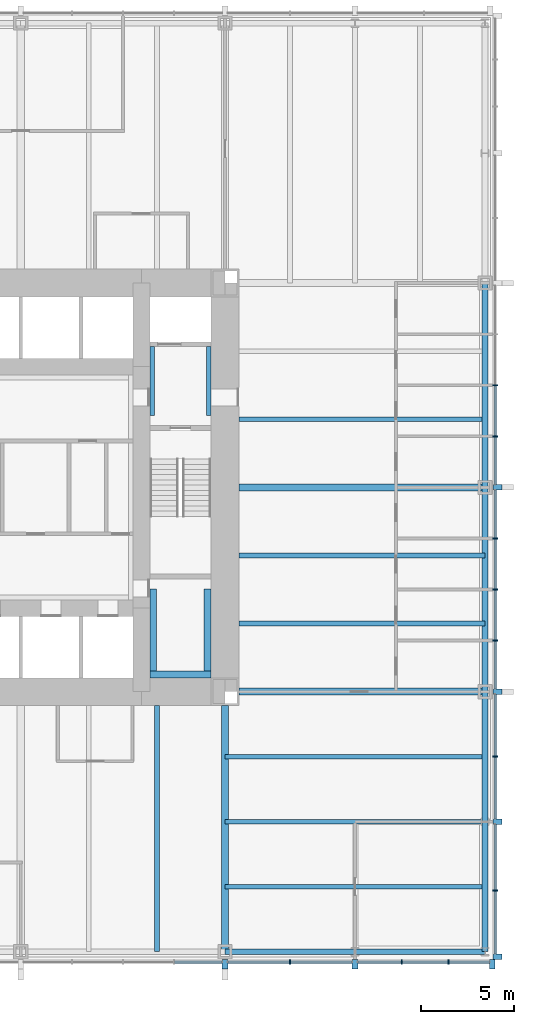
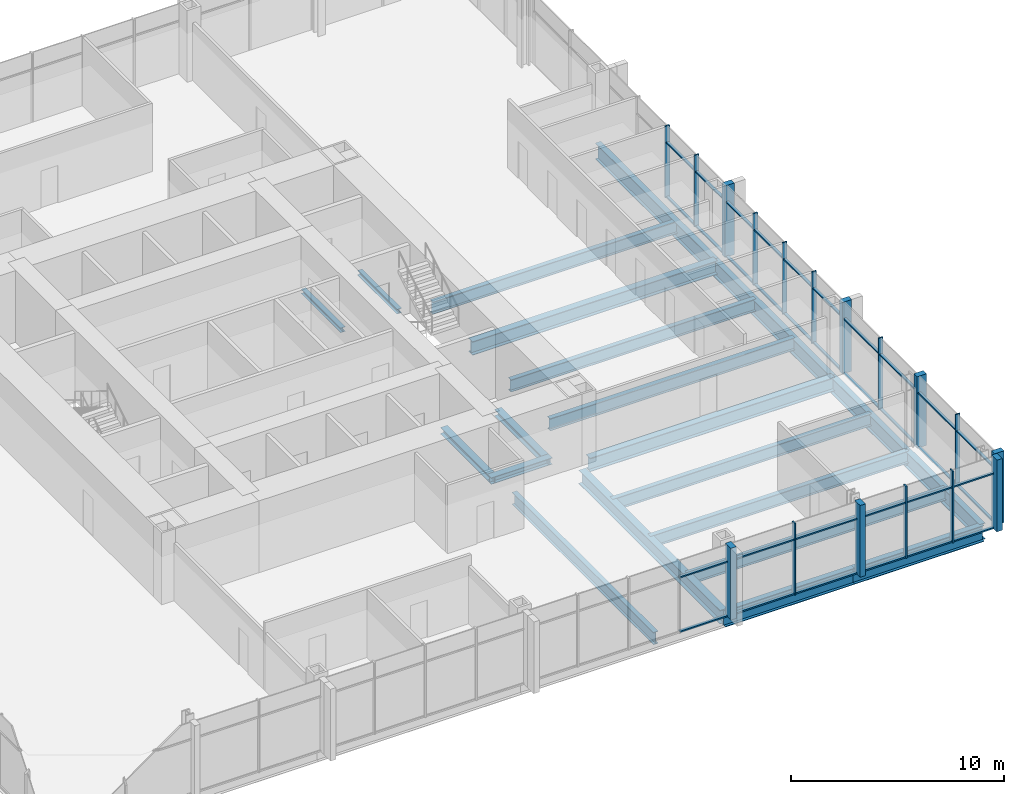
# One storey, part 4 of 13: 49 members, 21 beams, 2 elements without a shape of their own.
"""IFC4 building model written with IfcOpenShell, lengths in metres."""

from ifc_helpers import new_model, si_unit, direction, frame, origin, origin_2d, place, context, subcontext, project, spatial, rectangle, i_section, extrude, material, material_profile, profile_set, type_object, element, aggregate, save


model = new_model("IFC4")

# Units and contexts
model_context = context("Model", 3, precision=1e-05, world=origin(), true_north=direction((0.0, 1.0)))
body_context = subcontext(model_context, "Body", "Model", "MODEL_VIEW")
ifc_project = project(units=[si_unit("LENGTHUNIT", "METRE"), si_unit("AREAUNIT", "SQUARE_METRE"), si_unit("VOLUMEUNIT", "CUBIC_METRE"), si_unit("PLANEANGLEUNIT", "RADIAN"), si_unit("MASSUNIT", "GRAM", prefix="KILO")], contexts=[model_context])

# Site, building, storey
site_placement = place(None, origin())
site = spatial("IfcSite", under=ifc_project, at=site_placement, CompositionType="ELEMENT")
building_placement = place(site_placement, origin())
building = spatial("IfcBuilding", under=site, at=building_placement, Name="Trevanion Tower", CompositionType="ELEMENT")
storey_placement = place(building_placement, frame((0.0, 0.0, 85.699951171875)))
storey = spatial("IfcBuildingStorey", under=building, at=storey_placement, Name="L20", CompositionType="ELEMENT", Elevation=85.699951171875)

# Beams
ifc_material_1 = material(Name="Steel ASTM A992 Grade 50", Category="steel")
ifc_material_profile_1 = material_profile(ifc_material_1, i_section(OverallWidth=0.25390625, OverallDepth=0.700927734375, WebThickness=0.015380859375, FlangeThickness=0.02783203125, at=origin_2d()), Name="W27X129")
ifc_profile_set_1 = profile_set([ifc_material_profile_1], Name="Steel ASTM A992 Grade 50")
beam_type_1 = type_object("IfcBeamType", Name="B3 W27X129", PredefinedType="BEAM", material=ifc_profile_set_1)
for number, where, z_axis, x_axis, name in (
    (1, (11.75, -7.333251953125, -0.54052734375), (1.0, 0.0, 0.0), (0.0, 1.0, 0.0), "B3 L20"),
    (2, (11.75, -3.666748046875, -0.54052734375), (1.0, 0.0, 0.0), (0.0, 1.0, 0.0), "B3 L20"),
    (3, (11.75, 3.666748046875, -0.54052734375), (1.0, 0.0, 0.0), (0.0, 1.0, 0.0), "B3 L20"),
    (4, (7.333251953125, -11.75, -0.54052734375), (0.0, -1.0, 0.0), (1.0, 0.0, 0.0), "B3 L20"),
):
    element("IfcBeam", number, at=place(storey_placement, frame(where, z_axis=z_axis, x_axis=x_axis)), inside=storey, type_object=beam_type_1, Name=name, PredefinedType="BEAM", context=body_context, shape_type="SweptSolid", body=[
        extrude(i_section(OverallWidth=0.25390625, OverallDepth=0.700927734375, WebThickness=0.015380859375, FlangeThickness=0.02783203125, at=origin_2d()), origin(), (0.0, 0.0, 1.0), 13.25),
    ])
ifc_material_2 = material(Name="Steel ASTM A992 Grade 50", Category="steel")
ifc_material_profile_2 = material_profile(ifc_material_2, i_section(OverallWidth=0.256591796875, OverallDepth=0.693359375, WebThickness=0.014404296875, FlangeThickness=0.023681640625, at=origin_2d()), Name="W27X114")
ifc_profile_set_2 = profile_set([ifc_material_profile_2], Name="Steel ASTM A992 Grade 50")
beam_type_2 = type_object("IfcBeamType", Name="B4 W27X114", PredefinedType="BEAM", material=ifc_profile_set_2)
for number, where, z_axis, x_axis, name in (
    (5, (11.0, -14.5, -0.53662109375), (1.0, 0.0, 0.0), (0.0, 1.0, 0.0), "B4 L20"),
    (6, (11.0, -18.0, -0.53662109375), (1.0, 0.0, 0.0), (0.0, 1.0, 0.0), "B4 L20"),
    (7, (11.0, -21.5, -0.53662109375), (1.0, 0.0, 0.0), (0.0, 1.0, 0.0), "B4 L20"),
):
    element("IfcBeam", number, at=place(storey_placement, frame(where, z_axis=z_axis, x_axis=x_axis)), inside=storey, type_object=beam_type_2, Name=name, PredefinedType="BEAM", context=body_context, shape_type="SweptSolid", body=[
        extrude(i_section(OverallWidth=0.256591796875, OverallDepth=0.693359375, WebThickness=0.014404296875, FlangeThickness=0.023681640625, at=origin_2d()), origin(), (0.0, 0.0, 1.0), 14.0),
    ])

# Curtain wall, members
ifc_material_3 = material(Name="Aluminium and glass", Category="aluminium")
curtain_wall_type = type_object("IfcCurtainWallType", Name="CW1 curtain wall", PredefinedType="USERDEFINED", material=ifc_material_3)
curtain_wall_1_placement = place(storey_placement, origin())
curtain_wall_1 = element("IfcCurtainWall", 8, at=curtain_wall_1_placement, inside=storey, type_object=curtain_wall_type, Name="CW1 L20 0", ObjectType="UNITISED CURTAIN WALL", PredefinedType="USERDEFINED")
ifc_material_4 = material(Name="Aluminium extrusion, anodised bronze", Category="aluminium")
ifc_material_profile_3 = material_profile(ifc_material_4, rectangle(XDim=0.074951171875, YDim=0.25, at=origin_2d()), Name="CW1 mullion")
ifc_profile_set_3 = profile_set([ifc_material_profile_3], Name="Aluminium extrusion, anodised bronze")
member_type_1 = type_object("IfcMemberType", Name="CW1 mullion", PredefinedType="MULLION", material=ifc_profile_set_3)
member_1_placement = place(storey_placement, frame((25.550048828125, -21.7099609375, -0.18994140625), z_axis=(0.0, 0.0, 1.0), x_axis=(0.0, 1.0, 0.0)))
member_1 = element("IfcMember", 9, at=member_1_placement, type_object=member_type_1, Name="CW1 mullion 2", PredefinedType="MULLION", context=body_context, shape_type="SweptSolid", body=[
    extrude(rectangle(XDim=0.074951171875, YDim=0.25, at=origin_2d()), origin(), (0.0, 0.0, 1.0), 4.10009765625),
])
member_2_placement = place(storey_placement, frame((25.550048828125, -14.5, -0.18994140625), z_axis=(0.0, 0.0, 1.0), x_axis=(0.0, 1.0, 0.0)))
member_2 = element("IfcMember", 10, at=member_2_placement, type_object=member_type_1, Name="CW1 mullion 4", PredefinedType="MULLION", context=body_context, shape_type="SweptSolid", body=[
    extrude(rectangle(XDim=0.074951171875, YDim=0.25, at=origin_2d()), origin(), (0.0, 0.0, 1.0), 4.10009765625),
])
member_3_placement = place(storey_placement, frame((25.550048828125, -8.25, -0.18994140625), z_axis=(0.0, 0.0, 1.0), x_axis=(0.0, 1.0, 0.0)))
member_3 = element("IfcMember", 11, at=member_3_placement, type_object=member_type_1, Name="CW1 mullion 6", PredefinedType="MULLION", context=body_context, shape_type="SweptSolid", body=[
    extrude(rectangle(XDim=0.074951171875, YDim=0.25, at=origin_2d()), origin(), (0.0, 0.0, 1.0), 4.10009765625),
])
member_4_placement = place(storey_placement, frame((25.550048828125, -5.5, -0.18994140625), z_axis=(0.0, 0.0, 1.0), x_axis=(0.0, 1.0, 0.0)))
member_4 = element("IfcMember", 12, at=member_4_placement, type_object=member_type_1, Name="CW1 mullion 7", PredefinedType="MULLION", context=body_context, shape_type="SweptSolid", body=[
    extrude(rectangle(XDim=0.074951171875, YDim=0.25, at=origin_2d()), origin(), (0.0, 0.0, 1.0), 4.10009765625),
])
member_5_placement = place(storey_placement, frame((25.550048828125, -2.75, -0.18994140625), z_axis=(0.0, 0.0, 1.0), x_axis=(0.0, 1.0, 0.0)))
member_5 = element("IfcMember", 13, at=member_5_placement, type_object=member_type_1, Name="CW1 mullion 8", PredefinedType="MULLION", context=body_context, shape_type="SweptSolid", body=[
    extrude(rectangle(XDim=0.074951171875, YDim=0.25, at=origin_2d()), origin(), (0.0, 0.0, 1.0), 4.10009765625),
])
member_6_placement = place(storey_placement, frame((25.550048828125, 2.75, -0.18994140625), z_axis=(0.0, 0.0, 1.0), x_axis=(0.0, 1.0, 0.0)))
member_6 = element("IfcMember", 14, at=member_6_placement, type_object=member_type_1, Name="CW1 mullion 10", PredefinedType="MULLION", context=body_context, shape_type="SweptSolid", body=[
    extrude(rectangle(XDim=0.074951171875, YDim=0.25, at=origin_2d()), origin(), (0.0, 0.0, 1.0), 4.10009765625),
])
member_7_placement = place(storey_placement, frame((25.550048828125, 5.5, -0.18994140625), z_axis=(0.0, 0.0, 1.0), x_axis=(0.0, 1.0, 0.0)))
member_7 = element("IfcMember", 15, at=member_7_placement, type_object=member_type_1, Name="CW1 mullion 11", PredefinedType="MULLION", context=body_context, shape_type="SweptSolid", body=[
    extrude(rectangle(XDim=0.074951171875, YDim=0.25, at=origin_2d()), origin(), (0.0, 0.0, 1.0), 4.10009765625),
])

curtain_wall_2_placement = place(storey_placement, origin())
curtain_wall_2 = element("IfcCurtainWall", 16, at=curtain_wall_2_placement, inside=storey, type_object=curtain_wall_type, Name="CW1 L20 3", ObjectType="UNITISED CURTAIN WALL", PredefinedType="USERDEFINED")
member_8_placement = place(storey_placement, frame((14.5, -25.550048828125, -0.18994140625), z_axis=(0.0, 0.0, 1.0), x_axis=(1.0, 0.0, 0.0)))
member_8 = element("IfcMember", 17, at=member_8_placement, type_object=member_type_1, Name="CW1 mullion 14", PredefinedType="MULLION", context=body_context, shape_type="SweptSolid", body=[
    extrude(rectangle(XDim=0.074951171875, YDim=0.25, at=origin_2d()), origin(), (0.0, 0.0, 1.0), 4.10009765625),
])
member_9_placement = place(storey_placement, frame((20.5166015625, -25.550048828125, -0.18994140625), z_axis=(0.0, 0.0, 1.0), x_axis=(1.0, 0.0, 0.0)))
member_9 = element("IfcMember", 18, at=member_9_placement, type_object=member_type_1, Name="CW1 mullion 16", PredefinedType="MULLION", context=body_context, shape_type="SweptSolid", body=[
    extrude(rectangle(XDim=0.074951171875, YDim=0.25, at=origin_2d()), origin(), (0.0, 0.0, 1.0), 4.10009765625),
])
member_10_placement = place(storey_placement, frame((23.033203125, -25.550048828125, -0.18994140625), z_axis=(0.0, 0.0, 1.0), x_axis=(1.0, 0.0, 0.0)))
member_10 = element("IfcMember", 19, at=member_10_placement, type_object=member_type_1, Name="CW1 mullion 17", PredefinedType="MULLION", context=body_context, shape_type="SweptSolid", body=[
    extrude(rectangle(XDim=0.074951171875, YDim=0.25, at=origin_2d()), origin(), (0.0, 0.0, 1.0), 4.10009765625),
])

# Member
ifc_material_5 = material(Name="Aluminium extrusion, anodised bronze", Category="aluminium")
ifc_material_profile_4 = material_profile(ifc_material_5, rectangle(XDim=0.300048828125, YDim=0.5, at=origin_2d()), Name="CW1 pier mullion")
ifc_profile_set_4 = profile_set([ifc_material_profile_4], Name="Aluminium extrusion, anodised bronze")
member_type_2 = type_object("IfcMemberType", Name="CW1 pier mullion", PredefinedType="MULLION", material=ifc_profile_set_4)
member_11_placement = place(storey_placement, frame((25.675048828125, -25.27001953125, -0.18994140625), z_axis=(0.0, 0.0, 1.0), x_axis=(0.0, 1.0, 0.0)))
member_11 = element("IfcMember", 20, at=member_11_placement, type_object=member_type_2, Name="CW1 pier mullion 1", PredefinedType="MULLION", context=body_context, shape_type="SweptSolid", body=[
    extrude(rectangle(XDim=0.300048828125, YDim=0.5, at=origin_2d()), origin(), (0.0, 0.0, 1.0), 4.10009765625),
])

member_12_placement = place(storey_placement, frame((25.675048828125, -18.0, -0.18994140625), z_axis=(0.0, 0.0, 1.0), x_axis=(0.0, 1.0, 0.0)))
member_12 = element("IfcMember", 21, at=member_12_placement, type_object=member_type_2, Name="CW1 pier mullion 3", PredefinedType="MULLION", context=body_context, shape_type="SweptSolid", body=[
    extrude(rectangle(XDim=0.300048828125, YDim=0.5, at=origin_2d()), origin(), (0.0, 0.0, 1.0), 4.10009765625),
])

member_13_placement = place(storey_placement, frame((25.675048828125, -11.0, -0.18994140625), z_axis=(0.0, 0.0, 1.0), x_axis=(0.0, 1.0, 0.0)))
member_13 = element("IfcMember", 22, at=member_13_placement, type_object=member_type_2, Name="CW1 pier mullion 5", PredefinedType="MULLION", context=body_context, shape_type="SweptSolid", body=[
    extrude(rectangle(XDim=0.300048828125, YDim=0.5, at=origin_2d()), origin(), (0.0, 0.0, 1.0), 4.10009765625),
])

member_14_placement = place(storey_placement, frame((25.675048828125, 0.0, -0.18994140625), z_axis=(0.0, 0.0, 1.0), x_axis=(0.0, 1.0, 0.0)))
member_14 = element("IfcMember", 23, at=member_14_placement, type_object=member_type_2, Name="CW1 pier mullion 9", PredefinedType="MULLION", context=body_context, shape_type="SweptSolid", body=[
    extrude(rectangle(XDim=0.300048828125, YDim=0.5, at=origin_2d()), origin(), (0.0, 0.0, 1.0), 4.10009765625),
])

member_15_placement = place(storey_placement, frame((11.0, -25.675048828125, -0.18994140625), z_axis=(0.0, 0.0, 1.0), x_axis=(1.0, 0.0, 0.0)))
member_15 = element("IfcMember", 24, at=member_15_placement, type_object=member_type_2, Name="CW1 pier mullion 13", PredefinedType="MULLION", context=body_context, shape_type="SweptSolid", body=[
    extrude(rectangle(XDim=0.300048828125, YDim=0.5, at=origin_2d()), origin(), (0.0, 0.0, 1.0), 4.10009765625),
])

member_16_placement = place(storey_placement, frame((18.0, -25.675048828125, -0.18994140625), z_axis=(0.0, 0.0, 1.0), x_axis=(1.0, 0.0, 0.0)))
member_16 = element("IfcMember", 25, at=member_16_placement, type_object=member_type_2, Name="CW1 pier mullion 15", PredefinedType="MULLION", context=body_context, shape_type="SweptSolid", body=[
    extrude(rectangle(XDim=0.300048828125, YDim=0.5, at=origin_2d()), origin(), (0.0, 0.0, 1.0), 4.10009765625),
])

member_17_placement = place(storey_placement, frame((25.39990234375, -25.675048828125, -0.18994140625), z_axis=(0.0, 0.0, 1.0), x_axis=(1.0, 0.0, 0.0)))
member_17 = element("IfcMember", 26, at=member_17_placement, type_object=member_type_2, Name="CW1 pier mullion 18", PredefinedType="MULLION", context=body_context, shape_type="SweptSolid", body=[
    extrude(rectangle(XDim=0.300048828125, YDim=0.5, at=origin_2d()), origin(), (0.0, 0.0, 1.0), 4.10009765625),
])

ifc_material_6 = material(Name="Aluminium extrusion, anodised bronze", Category="aluminium")
ifc_material_profile_5 = material_profile(ifc_material_6, rectangle(XDim=0.14990234375, YDim=0.074951171875, at=origin_2d()), Name="CW1 transom")
ifc_profile_set_5 = profile_set([ifc_material_profile_5], Name="Aluminium extrusion, anodised bronze")
member_type_3 = type_object("IfcMemberType", Name="CW1 transom", PredefinedType="USERDEFINED", material=ifc_profile_set_5)
member_18_placement = place(storey_placement, frame((25.550048828125, -25.1201171875, -0.15234375), z_axis=(0.0, 1.0, 0.0), x_axis=(-1.0, 0.0, 0.0)))
member_18 = element("IfcMember", 27, at=member_18_placement, type_object=member_type_3, Name="CW1 transom 1.1", ObjectType="TRANSOM", PredefinedType="USERDEFINED", context=body_context, shape_type="SweptSolid", body=[
    extrude(rectangle(XDim=0.14990234375, YDim=0.074951171875, at=origin_2d()), origin(), (0.0, 0.0, 1.0), 3.37255859375),
])

member_19_placement = place(storey_placement, frame((25.550048828125, -25.1201171875, 2.9599609375), z_axis=(0.0, 1.0, 0.0), x_axis=(-1.0, 0.0, 0.0)))
member_19 = element("IfcMember", 28, at=member_19_placement, type_object=member_type_3, Name="CW1 transom 1.2", ObjectType="TRANSOM", PredefinedType="USERDEFINED", context=body_context, shape_type="SweptSolid", body=[
    extrude(rectangle(XDim=0.14990234375, YDim=0.074951171875, at=origin_2d()), origin(), (0.0, 0.0, 1.0), 3.37255859375),
])

member_20_placement = place(storey_placement, frame((25.550048828125, -21.672607421875, -0.15234375), z_axis=(0.0, 1.0, 0.0), x_axis=(-1.0, 0.0, 0.0)))
member_20 = element("IfcMember", 29, at=member_20_placement, type_object=member_type_3, Name="CW1 transom 2.1", ObjectType="TRANSOM", PredefinedType="USERDEFINED", context=body_context, shape_type="SweptSolid", body=[
    extrude(rectangle(XDim=0.14990234375, YDim=0.074951171875, at=origin_2d()), origin(), (0.0, 0.0, 1.0), 3.522705078125),
])

member_21_placement = place(storey_placement, frame((25.550048828125, -21.672607421875, 2.9599609375), z_axis=(0.0, 1.0, 0.0), x_axis=(-1.0, 0.0, 0.0)))
member_21 = element("IfcMember", 30, at=member_21_placement, type_object=member_type_3, Name="CW1 transom 2.2", ObjectType="TRANSOM", PredefinedType="USERDEFINED", context=body_context, shape_type="SweptSolid", body=[
    extrude(rectangle(XDim=0.14990234375, YDim=0.074951171875, at=origin_2d()), origin(), (0.0, 0.0, 1.0), 3.522705078125),
])

member_22_placement = place(storey_placement, frame((25.550048828125, -17.85009765625, -0.15234375), z_axis=(0.0, 1.0, 0.0), x_axis=(-1.0, 0.0, 0.0)))
member_22 = element("IfcMember", 31, at=member_22_placement, type_object=member_type_3, Name="CW1 transom 3.1", ObjectType="TRANSOM", PredefinedType="USERDEFINED", context=body_context, shape_type="SweptSolid", body=[
    extrude(rectangle(XDim=0.14990234375, YDim=0.074951171875, at=origin_2d()), origin(), (0.0, 0.0, 1.0), 3.3125),
])

member_23_placement = place(storey_placement, frame((25.550048828125, -17.85009765625, 2.9599609375), z_axis=(0.0, 1.0, 0.0), x_axis=(-1.0, 0.0, 0.0)))
member_23 = element("IfcMember", 32, at=member_23_placement, type_object=member_type_3, Name="CW1 transom 3.2", ObjectType="TRANSOM", PredefinedType="USERDEFINED", context=body_context, shape_type="SweptSolid", body=[
    extrude(rectangle(XDim=0.14990234375, YDim=0.074951171875, at=origin_2d()), origin(), (0.0, 0.0, 1.0), 3.3125),
])

member_24_placement = place(storey_placement, frame((25.550048828125, -14.46240234375, -0.15234375), z_axis=(0.0, 1.0, 0.0), x_axis=(-1.0, 0.0, 0.0)))
member_24 = element("IfcMember", 33, at=member_24_placement, type_object=member_type_3, Name="CW1 transom 4.1", ObjectType="TRANSOM", PredefinedType="USERDEFINED", context=body_context, shape_type="SweptSolid", body=[
    extrude(rectangle(XDim=0.14990234375, YDim=0.074951171875, at=origin_2d()), origin(), (0.0, 0.0, 1.0), 3.3125),
])

member_25_placement = place(storey_placement, frame((25.550048828125, -14.46240234375, 2.9599609375), z_axis=(0.0, 1.0, 0.0), x_axis=(-1.0, 0.0, 0.0)))
member_25 = element("IfcMember", 34, at=member_25_placement, type_object=member_type_3, Name="CW1 transom 4.2", ObjectType="TRANSOM", PredefinedType="USERDEFINED", context=body_context, shape_type="SweptSolid", body=[
    extrude(rectangle(XDim=0.14990234375, YDim=0.074951171875, at=origin_2d()), origin(), (0.0, 0.0, 1.0), 3.3125),
])

member_26_placement = place(storey_placement, frame((25.550048828125, -10.85009765625, -0.15234375), z_axis=(0.0, 1.0, 0.0), x_axis=(-1.0, 0.0, 0.0)))
member_26 = element("IfcMember", 35, at=member_26_placement, type_object=member_type_3, Name="CW1 transom 5.1", ObjectType="TRANSOM", PredefinedType="USERDEFINED", context=body_context, shape_type="SweptSolid", body=[
    extrude(rectangle(XDim=0.14990234375, YDim=0.074951171875, at=origin_2d()), origin(), (0.0, 0.0, 1.0), 2.5625),
])

member_27_placement = place(storey_placement, frame((25.550048828125, -10.85009765625, 2.9599609375), z_axis=(0.0, 1.0, 0.0), x_axis=(-1.0, 0.0, 0.0)))
member_27 = element("IfcMember", 36, at=member_27_placement, type_object=member_type_3, Name="CW1 transom 5.2", ObjectType="TRANSOM", PredefinedType="USERDEFINED", context=body_context, shape_type="SweptSolid", body=[
    extrude(rectangle(XDim=0.14990234375, YDim=0.074951171875, at=origin_2d()), origin(), (0.0, 0.0, 1.0), 2.5625),
])

member_28_placement = place(storey_placement, frame((25.550048828125, -8.21240234375, -0.15234375), z_axis=(0.0, 1.0, 0.0), x_axis=(-1.0, 0.0, 0.0)))
member_28 = element("IfcMember", 37, at=member_28_placement, type_object=member_type_3, Name="CW1 transom 6.1", ObjectType="TRANSOM", PredefinedType="USERDEFINED", context=body_context, shape_type="SweptSolid", body=[
    extrude(rectangle(XDim=0.14990234375, YDim=0.074951171875, at=origin_2d()), origin(), (0.0, 0.0, 1.0), 2.6748046875),
])

member_29_placement = place(storey_placement, frame((25.550048828125, -8.21240234375, 2.9599609375), z_axis=(0.0, 1.0, 0.0), x_axis=(-1.0, 0.0, 0.0)))
member_29 = element("IfcMember", 38, at=member_29_placement, type_object=member_type_3, Name="CW1 transom 6.2", ObjectType="TRANSOM", PredefinedType="USERDEFINED", context=body_context, shape_type="SweptSolid", body=[
    extrude(rectangle(XDim=0.14990234375, YDim=0.074951171875, at=origin_2d()), origin(), (0.0, 0.0, 1.0), 2.6748046875),
])

member_30_placement = place(storey_placement, frame((25.550048828125, -5.46240234375, -0.15234375), z_axis=(0.0, 1.0, 0.0), x_axis=(-1.0, 0.0, 0.0)))
member_30 = element("IfcMember", 39, at=member_30_placement, type_object=member_type_3, Name="CW1 transom 7.1", ObjectType="TRANSOM", PredefinedType="USERDEFINED", context=body_context, shape_type="SweptSolid", body=[
    extrude(rectangle(XDim=0.14990234375, YDim=0.074951171875, at=origin_2d()), origin(), (0.0, 0.0, 1.0), 2.6748046875),
])

member_31_placement = place(storey_placement, frame((25.550048828125, -5.46240234375, 2.9599609375), z_axis=(0.0, 1.0, 0.0), x_axis=(-1.0, 0.0, 0.0)))
member_31 = element("IfcMember", 40, at=member_31_placement, type_object=member_type_3, Name="CW1 transom 7.2", ObjectType="TRANSOM", PredefinedType="USERDEFINED", context=body_context, shape_type="SweptSolid", body=[
    extrude(rectangle(XDim=0.14990234375, YDim=0.074951171875, at=origin_2d()), origin(), (0.0, 0.0, 1.0), 2.6748046875),
])

member_32_placement = place(storey_placement, frame((25.550048828125, -2.71240234375, -0.15234375), z_axis=(0.0, 1.0, 0.0), x_axis=(-1.0, 0.0, 0.0)))
member_32 = element("IfcMember", 41, at=member_32_placement, type_object=member_type_3, Name="CW1 transom 8.1", ObjectType="TRANSOM", PredefinedType="USERDEFINED", context=body_context, shape_type="SweptSolid", body=[
    extrude(rectangle(XDim=0.14990234375, YDim=0.074951171875, at=origin_2d()), origin(), (0.0, 0.0, 1.0), 2.5625),
])

member_33_placement = place(storey_placement, frame((25.550048828125, -2.71240234375, 2.9599609375), z_axis=(0.0, 1.0, 0.0), x_axis=(-1.0, 0.0, 0.0)))
member_33 = element("IfcMember", 42, at=member_33_placement, type_object=member_type_3, Name="CW1 transom 8.2", ObjectType="TRANSOM", PredefinedType="USERDEFINED", context=body_context, shape_type="SweptSolid", body=[
    extrude(rectangle(XDim=0.14990234375, YDim=0.074951171875, at=origin_2d()), origin(), (0.0, 0.0, 1.0), 2.5625),
])

member_34_placement = place(storey_placement, frame((25.550048828125, 0.14990234375, -0.15234375), z_axis=(0.0, 1.0, 0.0), x_axis=(-1.0, 0.0, 0.0)))
member_34 = element("IfcMember", 43, at=member_34_placement, type_object=member_type_3, Name="CW1 transom 9.1", ObjectType="TRANSOM", PredefinedType="USERDEFINED", context=body_context, shape_type="SweptSolid", body=[
    extrude(rectangle(XDim=0.14990234375, YDim=0.074951171875, at=origin_2d()), origin(), (0.0, 0.0, 1.0), 2.5625),
])

member_35_placement = place(storey_placement, frame((25.550048828125, 0.14990234375, 2.9599609375), z_axis=(0.0, 1.0, 0.0), x_axis=(-1.0, 0.0, 0.0)))
member_35 = element("IfcMember", 44, at=member_35_placement, type_object=member_type_3, Name="CW1 transom 9.2", ObjectType="TRANSOM", PredefinedType="USERDEFINED", context=body_context, shape_type="SweptSolid", body=[
    extrude(rectangle(XDim=0.14990234375, YDim=0.074951171875, at=origin_2d()), origin(), (0.0, 0.0, 1.0), 2.5625),
])

member_36_placement = place(storey_placement, frame((25.550048828125, 2.78759765625, -0.15234375), z_axis=(0.0, 1.0, 0.0), x_axis=(-1.0, 0.0, 0.0)))
member_36 = element("IfcMember", 45, at=member_36_placement, type_object=member_type_3, Name="CW1 transom 10.1", ObjectType="TRANSOM", PredefinedType="USERDEFINED", context=body_context, shape_type="SweptSolid", body=[
    extrude(rectangle(XDim=0.14990234375, YDim=0.074951171875, at=origin_2d()), origin(), (0.0, 0.0, 1.0), 2.6748046875),
])

member_37_placement = place(storey_placement, frame((25.550048828125, 2.78759765625, 2.9599609375), z_axis=(0.0, 1.0, 0.0), x_axis=(-1.0, 0.0, 0.0)))
member_37 = element("IfcMember", 46, at=member_37_placement, type_object=member_type_3, Name="CW1 transom 10.2", ObjectType="TRANSOM", PredefinedType="USERDEFINED", context=body_context, shape_type="SweptSolid", body=[
    extrude(rectangle(XDim=0.14990234375, YDim=0.074951171875, at=origin_2d()), origin(), (0.0, 0.0, 1.0), 2.6748046875),
])

aggregate(curtain_wall_1, [member_11, member_1, member_12, member_2, member_13, member_3, member_4, member_5, member_14, member_6, member_7, member_18, member_19, member_20, member_21, member_22, member_23, member_24, member_25, member_26, member_27, member_28, member_29, member_30, member_31, member_32, member_33, member_34, member_35, member_36, member_37])

member_38_placement = place(storey_placement, frame((8.28759765625, -25.550048828125, -0.15234375), z_axis=(1.0, 0.0, 0.0), x_axis=(0.0, 1.0, 0.0)))
member_38 = element("IfcMember", 47, at=member_38_placement, type_object=member_type_3, Name="CW1 transom 12.1", ObjectType="TRANSOM", PredefinedType="USERDEFINED", context=body_context, shape_type="SweptSolid", body=[
    extrude(rectangle(XDim=0.14990234375, YDim=0.074951171875, at=origin_2d()), origin(), (0.0, 0.0, 1.0), 2.5625),
])

member_39_placement = place(storey_placement, frame((8.28759765625, -25.550048828125, 2.9599609375), z_axis=(1.0, 0.0, 0.0), x_axis=(0.0, 1.0, 0.0)))
member_39 = element("IfcMember", 48, at=member_39_placement, type_object=member_type_3, Name="CW1 transom 12.2", ObjectType="TRANSOM", PredefinedType="USERDEFINED", context=body_context, shape_type="SweptSolid", body=[
    extrude(rectangle(XDim=0.14990234375, YDim=0.074951171875, at=origin_2d()), origin(), (0.0, 0.0, 1.0), 2.5625),
])

member_40_placement = place(storey_placement, frame((11.14990234375, -25.550048828125, -0.15234375), z_axis=(1.0, 0.0, 0.0), x_axis=(0.0, 1.0, 0.0)))
member_40 = element("IfcMember", 49, at=member_40_placement, type_object=member_type_3, Name="CW1 transom 13.1", ObjectType="TRANSOM", PredefinedType="USERDEFINED", context=body_context, shape_type="SweptSolid", body=[
    extrude(rectangle(XDim=0.14990234375, YDim=0.074951171875, at=origin_2d()), origin(), (0.0, 0.0, 1.0), 3.3125),
])

member_41_placement = place(storey_placement, frame((11.14990234375, -25.550048828125, 2.9599609375), z_axis=(1.0, 0.0, 0.0), x_axis=(0.0, 1.0, 0.0)))
member_41 = element("IfcMember", 50, at=member_41_placement, type_object=member_type_3, Name="CW1 transom 13.2", ObjectType="TRANSOM", PredefinedType="USERDEFINED", context=body_context, shape_type="SweptSolid", body=[
    extrude(rectangle(XDim=0.14990234375, YDim=0.074951171875, at=origin_2d()), origin(), (0.0, 0.0, 1.0), 3.3125),
])

member_42_placement = place(storey_placement, frame((14.53759765625, -25.550048828125, -0.15234375), z_axis=(1.0, 0.0, 0.0), x_axis=(0.0, 1.0, 0.0)))
member_42 = element("IfcMember", 51, at=member_42_placement, type_object=member_type_3, Name="CW1 transom 14.1", ObjectType="TRANSOM", PredefinedType="USERDEFINED", context=body_context, shape_type="SweptSolid", body=[
    extrude(rectangle(XDim=0.14990234375, YDim=0.074951171875, at=origin_2d()), origin(), (0.0, 0.0, 1.0), 3.3125),
])

member_43_placement = place(storey_placement, frame((14.53759765625, -25.550048828125, 2.9599609375), z_axis=(1.0, 0.0, 0.0), x_axis=(0.0, 1.0, 0.0)))
member_43 = element("IfcMember", 52, at=member_43_placement, type_object=member_type_3, Name="CW1 transom 14.2", ObjectType="TRANSOM", PredefinedType="USERDEFINED", context=body_context, shape_type="SweptSolid", body=[
    extrude(rectangle(XDim=0.14990234375, YDim=0.074951171875, at=origin_2d()), origin(), (0.0, 0.0, 1.0), 3.3125),
])

member_44_placement = place(storey_placement, frame((18.14990234375, -25.550048828125, -0.15234375), z_axis=(1.0, 0.0, 0.0), x_axis=(0.0, 1.0, 0.0)))
member_44 = element("IfcMember", 53, at=member_44_placement, type_object=member_type_3, Name="CW1 transom 15.1", ObjectType="TRANSOM", PredefinedType="USERDEFINED", context=body_context, shape_type="SweptSolid", body=[
    extrude(rectangle(XDim=0.14990234375, YDim=0.074951171875, at=origin_2d()), origin(), (0.0, 0.0, 1.0), 2.329345703125),
])

member_45_placement = place(storey_placement, frame((18.14990234375, -25.550048828125, 2.9599609375), z_axis=(1.0, 0.0, 0.0), x_axis=(0.0, 1.0, 0.0)))
member_45 = element("IfcMember", 54, at=member_45_placement, type_object=member_type_3, Name="CW1 transom 15.2", ObjectType="TRANSOM", PredefinedType="USERDEFINED", context=body_context, shape_type="SweptSolid", body=[
    extrude(rectangle(XDim=0.14990234375, YDim=0.074951171875, at=origin_2d()), origin(), (0.0, 0.0, 1.0), 2.329345703125),
])

member_46_placement = place(storey_placement, frame((20.55419921875, -25.550048828125, -0.15234375), z_axis=(1.0, 0.0, 0.0), x_axis=(0.0, 1.0, 0.0)))
member_46 = element("IfcMember", 55, at=member_46_placement, type_object=member_type_3, Name="CW1 transom 16.1", ObjectType="TRANSOM", PredefinedType="USERDEFINED", context=body_context, shape_type="SweptSolid", body=[
    extrude(rectangle(XDim=0.14990234375, YDim=0.074951171875, at=origin_2d()), origin(), (0.0, 0.0, 1.0), 2.441650390625),
])

member_47_placement = place(storey_placement, frame((20.55419921875, -25.550048828125, 2.9599609375), z_axis=(1.0, 0.0, 0.0), x_axis=(0.0, 1.0, 0.0)))
member_47 = element("IfcMember", 56, at=member_47_placement, type_object=member_type_3, Name="CW1 transom 16.2", ObjectType="TRANSOM", PredefinedType="USERDEFINED", context=body_context, shape_type="SweptSolid", body=[
    extrude(rectangle(XDim=0.14990234375, YDim=0.074951171875, at=origin_2d()), origin(), (0.0, 0.0, 1.0), 2.441650390625),
])

member_48_placement = place(storey_placement, frame((23.07080078125, -25.550048828125, -0.15234375), z_axis=(1.0, 0.0, 0.0), x_axis=(0.0, 1.0, 0.0)))
member_48 = element("IfcMember", 57, at=member_48_placement, type_object=member_type_3, Name="CW1 transom 17.1", ObjectType="TRANSOM", PredefinedType="USERDEFINED", context=body_context, shape_type="SweptSolid", body=[
    extrude(rectangle(XDim=0.14990234375, YDim=0.074951171875, at=origin_2d()), origin(), (0.0, 0.0, 1.0), 2.17919921875),
])

member_49_placement = place(storey_placement, frame((23.07080078125, -25.550048828125, 2.9599609375), z_axis=(1.0, 0.0, 0.0), x_axis=(0.0, 1.0, 0.0)))
member_49 = element("IfcMember", 58, at=member_49_placement, type_object=member_type_3, Name="CW1 transom 17.2", ObjectType="TRANSOM", PredefinedType="USERDEFINED", context=body_context, shape_type="SweptSolid", body=[
    extrude(rectangle(XDim=0.14990234375, YDim=0.074951171875, at=origin_2d()), origin(), (0.0, 0.0, 1.0), 2.17919921875),
])

aggregate(curtain_wall_2, [member_15, member_8, member_16, member_9, member_10, member_17, member_38, member_39, member_40, member_41, member_42, member_43, member_44, member_45, member_46, member_47, member_48, member_49])

# Beams
ifc_material_7 = material(Name="Steel ASTM A992 Grade 50", Category="steel")
ifc_material_profile_6 = material_profile(ifc_material_7, i_section(OverallWidth=0.381103515625, OverallDepth=0.77978515625, WebThickness=0.01806640625, FlangeThickness=0.0302734375, at=origin_2d()), Name="W30X191")
ifc_profile_set_6 = profile_set([ifc_material_profile_6], Name="Steel ASTM A992 Grade 50")
beam_type_3 = type_object("IfcBeamType", Name="G2 W30X191", PredefinedType="BEAM", material=ifc_profile_set_6)
for number, where, z_axis, x_axis, name in (
    (59, (11.75, -11.0, -0.579833984375), (1.0, 0.0, 0.0), (0.0, 1.0, 0.0), "G2 L20"),
    (60, (11.75, 0.0, -0.579833984375), (1.0, 0.0, 0.0), (0.0, 1.0, 0.0), "G2 L20"),
    (61, (11.0, -11.75, -0.579833984375), (0.0, -1.0, 0.0), (1.0, 0.0, 0.0), "G2 L20"),
):
    element("IfcBeam", number, at=place(storey_placement, frame(where, z_axis=z_axis, x_axis=x_axis)), inside=storey, type_object=beam_type_3, Name=name, PredefinedType="BEAM", context=body_context, shape_type="SweptSolid", body=[
        extrude(i_section(OverallWidth=0.381103515625, OverallDepth=0.77978515625, WebThickness=0.01806640625, FlangeThickness=0.0302734375, at=origin_2d()), origin(), (0.0, 0.0, 1.0), 13.25),
    ])
ifc_material_8 = material(Name="Steel ASTM A992 Grade 50", Category="steel")
ifc_material_profile_7 = material_profile(ifc_material_8, i_section(OverallWidth=0.256591796875, OverallDepth=0.26416015625, WebThickness=0.011962890625, FlangeThickness=0.01953125, at=origin_2d()), Name="W10X68")
ifc_profile_set_7 = profile_set([ifc_material_profile_7], Name="Steel ASTM A992 Grade 50")
beam_type_4 = type_object("IfcBeamType", Name="LB1 W10X68", PredefinedType="BEAM", material=ifc_profile_set_7)
for number, where, z_axis, x_axis, name in (
    (62, (7.078369140625, 3.875, -0.33203125), (0.0, 1.0, 0.0), (-1.0, 0.0, 0.0), "LB1 L20"),
    (63, (10.12158203125, 3.875, -0.33203125), (0.0, 1.0, 0.0), (-1.0, 0.0, 0.0), "LB1 L20"),
):
    element("IfcBeam", number, at=place(storey_placement, frame(where, z_axis=z_axis, x_axis=x_axis)), inside=storey, type_object=beam_type_4, Name=name, PredefinedType="BEAM", context=body_context, shape_type="SweptSolid", body=[
        extrude(i_section(OverallWidth=0.256591796875, OverallDepth=0.26416015625, WebThickness=0.011962890625, FlangeThickness=0.01953125, at=origin_2d()), origin(), (0.0, 0.0, 1.0), 3.699951171875),
    ])
ifc_material_9 = material(Name="Steel ASTM A992 Grade 50", Category="steel")
ifc_material_profile_8 = material_profile(ifc_material_9, i_section(OverallWidth=0.373291015625, OverallDepth=0.373291015625, WebThickness=0.016357421875, FlangeThickness=0.026123046875, at=origin_2d()), Name="W14X132")
ifc_profile_set_8 = profile_set([ifc_material_profile_8], Name="Steel ASTM A992 Grade 50")
beam_type_5 = type_object("IfcBeamType", Name="LB2 W14X132", PredefinedType="BEAM", material=ifc_profile_set_8)
for number, where, z_axis, x_axis, name in (
    (64, (7.13671875, -10.25, -0.38671875), (0.0, 1.0, 0.0), (-1.0, 0.0, 0.0), "LB2 L20"),
    (65, (10.063232421875, -10.25, -0.38671875), (0.0, 1.0, 0.0), (-1.0, 0.0, 0.0), "LB2 L20"),
):
    element("IfcBeam", number, at=place(storey_placement, frame(where, z_axis=z_axis, x_axis=x_axis)), inside=storey, type_object=beam_type_5, Name=name, PredefinedType="BEAM", context=body_context, shape_type="SweptSolid", body=[
        extrude(i_section(OverallWidth=0.373291015625, OverallDepth=0.373291015625, WebThickness=0.016357421875, FlangeThickness=0.026123046875, at=origin_2d()), origin(), (0.0, 0.0, 1.0), 4.77490234375),
    ])
beam_placement = place(storey_placement, frame((6.949951171875, -10.063232421875, -0.38671875), z_axis=(1.0, 0.0, 0.0), x_axis=(0.0, 1.0, 0.0)))
element("IfcBeam", 66, at=beam_placement, inside=storey, type_object=beam_type_5, Name="LB2 L20", PredefinedType="BEAM", context=body_context, shape_type="SweptSolid", body=[
    extrude(i_section(OverallWidth=0.373291015625, OverallDepth=0.373291015625, WebThickness=0.016357421875, FlangeThickness=0.026123046875, at=origin_2d()), origin(), (0.0, 0.0, 1.0), 3.300048828125),
])
ifc_material_10 = material(Name="Steel ASTM A992 Grade 50", Category="steel")
ifc_material_profile_9 = material_profile(ifc_material_10, i_section(OverallWidth=0.307373046875, OverallDepth=0.927001953125, WebThickness=0.01953125, FlangeThickness=0.031982421875, at=origin_2d()), Name="W36X194")
ifc_profile_set_9 = profile_set([ifc_material_profile_9], Name="Steel ASTM A992 Grade 50")
beam_type_6 = type_object("IfcBeamType", Name="SB2 W36X194", PredefinedType="SPANDREL", material=ifc_profile_set_9)
for number, where, z_axis, x_axis, name in (
    (67, (25.0, -25.0, -0.653564453125), (0.0, 1.0, 0.0), (-1.0, 0.0, 0.0), "SB2 L20"),
    (68, (25.0, -18.0, -0.653564453125), (0.0, 1.0, 0.0), (-1.0, 0.0, 0.0), "SB2 L20"),
):
    element("IfcBeam", number, at=place(storey_placement, frame(where, z_axis=z_axis, x_axis=x_axis)), inside=storey, type_object=beam_type_6, Name=name, PredefinedType="SPANDREL", context=body_context, shape_type="SweptSolid", body=[
        extrude(i_section(OverallWidth=0.307373046875, OverallDepth=0.927001953125, WebThickness=0.01953125, FlangeThickness=0.031982421875, at=origin_2d()), origin(), (0.0, 0.0, 1.0), 7.0),
    ])
for number, where, z_axis, x_axis, name in (
    (69, (25.0, -11.0, -0.653564453125), (0.0, 1.0, 0.0), (-1.0, 0.0, 0.0), "SB2 L20"),
    (70, (25.0, 0.0, -0.653564453125), (0.0, 1.0, 0.0), (-1.0, 0.0, 0.0), "SB2 L20"),
):
    element("IfcBeam", number, at=place(storey_placement, frame(where, z_axis=z_axis, x_axis=x_axis)), inside=storey, type_object=beam_type_6, Name=name, PredefinedType="SPANDREL", context=body_context, shape_type="SweptSolid", body=[
        extrude(i_section(OverallWidth=0.307373046875, OverallDepth=0.927001953125, WebThickness=0.01953125, FlangeThickness=0.031982421875, at=origin_2d()), origin(), (0.0, 0.0, 1.0), 11.0),
    ])
for number, where, z_axis, x_axis, name in (
    (71, (11.0, -25.0, -0.653564453125), (1.0, 0.0, 0.0), (0.0, 1.0, 0.0), "SB2 L20"),
    (72, (18.0, -25.0, -0.653564453125), (1.0, 0.0, 0.0), (0.0, 1.0, 0.0), "SB2 L20"),
):
    element("IfcBeam", number, at=place(storey_placement, frame(where, z_axis=z_axis, x_axis=x_axis)), inside=storey, type_object=beam_type_6, Name=name, PredefinedType="SPANDREL", context=body_context, shape_type="SweptSolid", body=[
        extrude(i_section(OverallWidth=0.307373046875, OverallDepth=0.927001953125, WebThickness=0.01953125, FlangeThickness=0.031982421875, at=origin_2d()), origin(), (0.0, 0.0, 1.0), 7.0),
    ])

save(model, "model.ifc")
